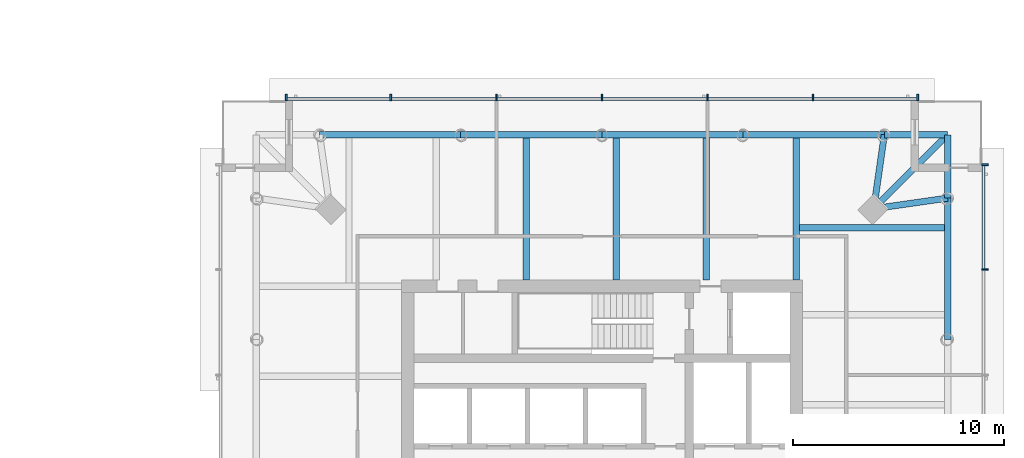
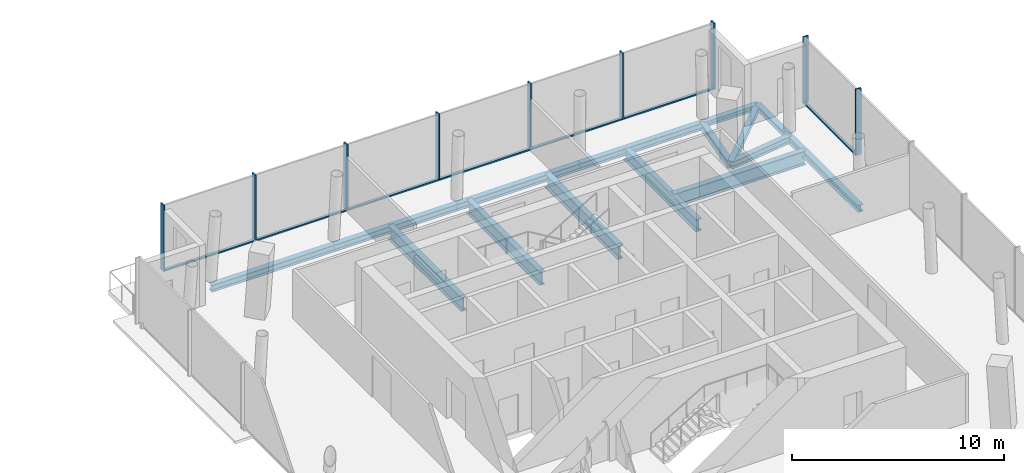
# One storey, part 7 of 28: 16 members, 15 beams, 2 elements without a shape of their own.
"""IFC4 building model written with IfcOpenShell, lengths in metres."""

from ifc_helpers import new_model, si_unit, direction, frame, origin, origin_2d, place, context, subcontext, project, spatial, rectangle, i_section, extrude, material, material_profile, profile_set, type_object, element, aggregate, save


model = new_model("IFC4")

# Units and contexts
model_context = context("Model", 3, precision=1e-05, world=origin(), true_north=direction((0.0, 1.0)))
body_context = subcontext(model_context, "Body", "Model", "MODEL_VIEW")
ifc_project = project(units=[si_unit("LENGTHUNIT", "METRE"), si_unit("AREAUNIT", "SQUARE_METRE"), si_unit("VOLUMEUNIT", "CUBIC_METRE"), si_unit("PLANEANGLEUNIT", "RADIAN"), si_unit("MASSUNIT", "GRAM", prefix="KILO")], contexts=[model_context])

# Site, building, storey
site_placement = place(None, origin())
site = spatial("IfcSite", under=ifc_project, at=site_placement, CompositionType="ELEMENT")
building_placement = place(site_placement, origin())
building = spatial("IfcBuilding", under=site, at=building_placement, Name="Ostroluk Exchange", CompositionType="ELEMENT")
storey_placement = place(building_placement, frame((0.0, 0.0, 81.800048828125)))
storey = spatial("IfcBuildingStorey", under=building, at=storey_placement, Name="L20", CompositionType="ELEMENT", Elevation=81.800048828125)

# Beams
ifc_material_1 = material(Name="Steel S355", Category="steel")
ifc_material_profile_1 = material_profile(ifc_material_1, i_section(OverallWidth=0.300048828125, OverallDepth=0.300048828125, WebThickness=0.010986328125, FlangeThickness=0.01904296875, FilletRadius=0.027099609375, at=origin_2d()), Name="HEB 300")
ifc_profile_set_1 = profile_set([ifc_material_profile_1], Name="Steel S355")
beam_type_1 = type_object("IfcBeamType", Name="Balcony beam HEB 300", PredefinedType="BEAM", material=ifc_profile_set_1)
for number, where, z_axis, x_axis, name in (
    (1, (133.37939453125, 59.37939453125, -0.429931640625), (0.0, 1.0, 0.0), (-1.0, 0.0, 0.0), "T2 east balcony beam a"),
    (2, (130.37939453125, 62.37939453125, -0.429931640625), (1.0, 0.0, 0.0), (0.0, 1.0, 0.0), "T2 east balcony beam b"),
):
    element("IfcBeam", number, at=place(storey_placement, frame(where, z_axis=z_axis, x_axis=x_axis)), inside=storey, type_object=beam_type_1, Name=name, PredefinedType="BEAM", context=body_context, shape_type="SweptSolid", body=[
        extrude(i_section(OverallWidth=0.300048828125, OverallDepth=0.300048828125, WebThickness=0.010986328125, FlangeThickness=0.01904296875, FilletRadius=0.027099609375, at=origin_2d()), origin(), (0.0, 0.0, 1.0), 3.0),
    ])
beam_1_placement = place(storey_placement, frame((129.87939453125, 58.87939453125, -0.429931640625), z_axis=(0.707106781187, 0.707106781187, 0.0), x_axis=(-0.707106781187, 0.707106781187, 0.0)))
element("IfcBeam", 3, at=beam_1_placement, inside=storey, type_object=beam_type_1, Name="T2 east balcony beam c", PredefinedType="BEAM", context=body_context, shape_type="SweptSolid", body=[
    extrude(i_section(OverallWidth=0.300048828125, OverallDepth=0.300048828125, WebThickness=0.010986328125, FlangeThickness=0.01904296875, FilletRadius=0.027099609375, at=origin_2d()), origin(), (0.0, 0.0, 1.0), 4.94970703125),
])
ifc_material_2 = material(Name="Steel S355", Category="steel")
ifc_material_profile_2 = material_profile(ifc_material_2, i_section(OverallWidth=0.300048828125, OverallDepth=0.39990234375, WebThickness=0.013427734375, FlangeThickness=0.02392578125, FilletRadius=0.027099609375, at=origin_2d()), Name="HEB 400")
ifc_profile_set_2 = profile_set([ifc_material_profile_2], Name="Steel S355")
beam_type_2 = type_object("IfcBeamType", Name="Corner edge beam HEB 400", PredefinedType="SPANDREL", material=ifc_profile_set_2)
for number, where, z_axis, x_axis, name in (
    (4, (129.87939453125, 58.87939453125, -0.47998046875), (0.989949493661, 0.141421356237, 0.0), (-0.141421356237, 0.989949493661, 0.0), "T2 east corner edge beam a"),
    (5, (129.87939453125, 58.87939453125, -0.47998046875), (0.141421356237, 0.989949493661, 0.0), (-0.989949493661, 0.141421356237, 0.0), "T2 east corner edge beam b"),
):
    element("IfcBeam", number, at=place(storey_placement, frame(where, z_axis=z_axis, x_axis=x_axis)), inside=storey, type_object=beam_type_2, Name=name, PredefinedType="SPANDREL", context=body_context, shape_type="SweptSolid", body=[
        extrude(i_section(OverallWidth=0.300048828125, OverallDepth=0.39990234375, WebThickness=0.013427734375, FlangeThickness=0.02392578125, FilletRadius=0.027099609375, at=origin_2d()), origin(), (0.0, 0.0, 1.0), 3.53564453125),
    ])
ifc_material_3 = material(Name="Steel S355", Category="steel")
ifc_material_profile_3 = material_profile(ifc_material_3, i_section(OverallWidth=0.300048828125, OverallDepth=0.800048828125, WebThickness=0.017578125, FlangeThickness=0.032958984375, FilletRadius=0.030029296875, at=origin_2d()), Name="HEB 800")
ifc_profile_set_3 = profile_set([ifc_material_profile_3], Name="Steel S355")
beam_type_3 = type_object("IfcBeamType", Name="Floor beam HEB 800", PredefinedType="BEAM", material=ifc_profile_set_3)
beam_2_placement = place(storey_placement, frame((126.199951171875, 57.979248046875, -0.679931640625), z_axis=(1.0, 0.0, 0.0), x_axis=(0.0, 1.0, 0.0)))
element("IfcBeam", 6, at=beam_2_placement, inside=storey, type_object=beam_type_3, Name="T2 east floor beam 5", PredefinedType="BEAM", context=body_context, shape_type="SweptSolid", body=[
    extrude(i_section(OverallWidth=0.300048828125, OverallDepth=0.800048828125, WebThickness=0.017578125, FlangeThickness=0.032958984375, FilletRadius=0.030029296875, at=origin_2d()), origin(), (0.0, 0.0, 1.0), 7.179443359375),
])
for number, where, z_axis, x_axis, name in (
    (7, (121.936767578125, 55.5, -0.679931640625), (0.0, 1.0, 0.0), (-1.0, 0.0, 0.0), "T2 north floor beam 1"),
    (8, (117.673583984375, 55.5, -0.679931640625), (0.0, 1.0, 0.0), (-1.0, 0.0, 0.0), "T2 north floor beam 2"),
    (9, (113.410400390625, 55.5, -0.679931640625), (0.0, 1.0, 0.0), (-1.0, 0.0, 0.0), "T2 north floor beam 3"),
):
    element("IfcBeam", number, at=place(storey_placement, frame(where, z_axis=z_axis, x_axis=x_axis)), inside=storey, type_object=beam_type_3, Name=name, PredefinedType="BEAM", context=body_context, shape_type="SweptSolid", body=[
        extrude(i_section(OverallWidth=0.300048828125, OverallDepth=0.800048828125, WebThickness=0.017578125, FlangeThickness=0.032958984375, FilletRadius=0.030029296875, at=origin_2d()), origin(), (0.0, 0.0, 1.0), 6.87939453125),
    ])
ifc_material_4 = material(Name="Steel S355", Category="steel")
ifc_material_profile_4 = material_profile(ifc_material_4, i_section(OverallWidth=0.300048828125, OverallDepth=0.699951171875, WebThickness=0.01708984375, FlangeThickness=0.031982421875, FilletRadius=0.027099609375, at=origin_2d()), Name="HEB 700")
ifc_profile_set_4 = profile_set([ifc_material_profile_4], Name="Steel S355")
beam_type_4 = type_object("IfcBeamType", Name="Girder HEB 700", PredefinedType="BEAM", material=ifc_profile_set_4)
beam_3_placement = place(storey_placement, frame((126.199951171875, 55.5, -0.630126953125), z_axis=(0.0, 1.0, 0.0), x_axis=(-1.0, 0.0, 0.0)))
element("IfcBeam", 10, at=beam_3_placement, inside=storey, type_object=beam_type_4, Name="T2 east girder", PredefinedType="BEAM", context=body_context, shape_type="SweptSolid", body=[
    extrude(i_section(OverallWidth=0.300048828125, OverallDepth=0.699951171875, WebThickness=0.01708984375, FlangeThickness=0.031982421875, FilletRadius=0.027099609375, at=origin_2d()), origin(), (0.0, 0.0, 1.0), 6.87939453125),
])
ifc_material_5 = material(Name="Steel S355", Category="steel")
ifc_material_profile_5 = material_profile(ifc_material_5, i_section(OverallWidth=0.300048828125, OverallDepth=0.39990234375, WebThickness=0.013427734375, FlangeThickness=0.02392578125, FilletRadius=0.027099609375, at=origin_2d()), Name="HEB 400")
ifc_profile_set_5 = profile_set([ifc_material_profile_5], Name="Steel S355")
beam_type_5 = type_object("IfcBeamType", Name="Moment-connected edge beam HEB 400", PredefinedType="SPANDREL", material=ifc_profile_set_5)
for number, where, z_axis, x_axis, name in (
    (11, (133.37939453125, 52.689697265625, -0.47998046875), (0.0, 1.0, 0.0), (-1.0, 0.0, 0.0), "T2 east edge beam 4"),
    (12, (130.37939453125, 62.37939453125, -0.47998046875), (-1.0, 0.0, 0.0), (0.0, -1.0, 0.0), "T2 north edge beam 1"),
    (13, (123.689697265625, 62.37939453125, -0.47998046875), (-1.0, 0.0, 0.0), (0.0, -1.0, 0.0), "T2 north edge beam 2"),
    (14, (117.0, 62.37939453125, -0.47998046875), (-1.0, 0.0, 0.0), (0.0, -1.0, 0.0), "T2 north edge beam 3"),
    (15, (110.310302734375, 62.37939453125, -0.47998046875), (-1.0, 0.0, 0.0), (0.0, -1.0, 0.0), "T2 north edge beam 4"),
):
    element("IfcBeam", number, at=place(storey_placement, frame(where, z_axis=z_axis, x_axis=x_axis)), inside=storey, type_object=beam_type_5, Name=name, PredefinedType="SPANDREL", context=body_context, shape_type="SweptSolid", body=[
        extrude(i_section(OverallWidth=0.300048828125, OverallDepth=0.39990234375, WebThickness=0.013427734375, FlangeThickness=0.02392578125, FilletRadius=0.027099609375, at=origin_2d()), origin(), (0.0, 0.0, 1.0), 6.689697265625),
    ])

# Curtain wall, member
ifc_material_6 = material(Name="Laminated clear glass", Category="glass")
curtain_wall_type = type_object("IfcCurtainWallType", Name="Hotel amenity and plant facade", PredefinedType="USERDEFINED", material=ifc_material_6)
curtain_wall_1_placement = place(storey_placement, origin())
curtain_wall_1 = element("IfcCurtainWall", 16, at=curtain_wall_1_placement, inside=storey, type_object=curtain_wall_type, Name="Hotel tower east facade L20", ObjectType="LOUVRED CURTAIN WALL", PredefinedType="USERDEFINED")
ifc_material_7 = material(Name="Aluminium mullion", Category="aluminium")
ifc_material_profile_6 = material_profile(ifc_material_7, rectangle(XDim=0.14990234375, YDim=0.080078125, at=origin_2d()), Name="Sill transom 80 x 150")
ifc_profile_set_6 = profile_set([ifc_material_profile_6], Name="Aluminium mullion")
member_type_1 = type_object("IfcMemberType", Name="Sill transom 80 x 150", PredefinedType="USERDEFINED", material=ifc_profile_set_6)
member_1_placement = place(storey_placement, frame((135.074951171875, 56.0400390625, 0.0400390625), z_axis=(0.0, 1.0, 0.0), x_axis=(-1.0, 0.0, 0.0)))
member_1 = element("IfcMember", 17, at=member_1_placement, type_object=member_type_1, Name="CW-H2 transom 6.1", ObjectType="TRANSOM", PredefinedType="USERDEFINED", context=body_context, shape_type="SweptSolid", body=[
    extrude(rectangle(XDim=0.14990234375, YDim=0.080078125, at=origin_2d()), origin(), (0.0, 0.0, 1.0), 4.8798828125),
])

# Curtain wall, members
curtain_wall_2_placement = place(storey_placement, origin())
curtain_wall_2 = element("IfcCurtainWall", 18, at=curtain_wall_2_placement, inside=storey, type_object=curtain_wall_type, Name="Hotel tower north facade L20", ObjectType="LOUVRED CURTAIN WALL", PredefinedType="USERDEFINED")
member_2_placement = place(storey_placement, frame((131.919921875, 64.074951171875, 0.0400390625), z_axis=(-1.0, 0.0, 0.0), x_axis=(0.0, -1.0, 0.0)))
member_2 = element("IfcMember", 19, at=member_2_placement, type_object=member_type_1, Name="CW-H2 transom 1.1", ObjectType="TRANSOM", PredefinedType="USERDEFINED", context=body_context, shape_type="SweptSolid", body=[
    extrude(rectangle(XDim=0.14990234375, YDim=0.080078125, at=origin_2d()), origin(), (0.0, 0.0, 1.0), 4.8798828125),
])
member_3_placement = place(storey_placement, frame((126.9599609375, 64.074951171875, 0.0400390625), z_axis=(-1.0, 0.0, 0.0), x_axis=(0.0, -1.0, 0.0)))
member_3 = element("IfcMember", 20, at=member_3_placement, type_object=member_type_1, Name="CW-H2 transom 2.1", ObjectType="TRANSOM", PredefinedType="USERDEFINED", context=body_context, shape_type="SweptSolid", body=[
    extrude(rectangle(XDim=0.14990234375, YDim=0.080078125, at=origin_2d()), origin(), (0.0, 0.0, 1.0), 4.919921875),
])
member_4_placement = place(storey_placement, frame((121.9599609375, 64.074951171875, 0.0400390625), z_axis=(-1.0, 0.0, 0.0), x_axis=(0.0, -1.0, 0.0)))
member_4 = element("IfcMember", 21, at=member_4_placement, type_object=member_type_1, Name="CW-H2 transom 3.1", ObjectType="TRANSOM", PredefinedType="USERDEFINED", context=body_context, shape_type="SweptSolid", body=[
    extrude(rectangle(XDim=0.14990234375, YDim=0.080078125, at=origin_2d()), origin(), (0.0, 0.0, 1.0), 4.919921875),
])
member_5_placement = place(storey_placement, frame((116.9599609375, 64.074951171875, 0.0400390625), z_axis=(-1.0, 0.0, 0.0), x_axis=(0.0, -1.0, 0.0)))
member_5 = element("IfcMember", 22, at=member_5_placement, type_object=member_type_1, Name="CW-H2 transom 4.1", ObjectType="TRANSOM", PredefinedType="USERDEFINED", context=body_context, shape_type="SweptSolid", body=[
    extrude(rectangle(XDim=0.14990234375, YDim=0.080078125, at=origin_2d()), origin(), (0.0, 0.0, 1.0), 4.919921875),
])
member_6_placement = place(storey_placement, frame((111.9599609375, 64.074951171875, 0.0400390625), z_axis=(-1.0, 0.0, 0.0), x_axis=(0.0, -1.0, 0.0)))
member_6 = element("IfcMember", 23, at=member_6_placement, type_object=member_type_1, Name="CW-H2 transom 5.1", ObjectType="TRANSOM", PredefinedType="USERDEFINED", context=body_context, shape_type="SweptSolid", body=[
    extrude(rectangle(XDim=0.14990234375, YDim=0.080078125, at=origin_2d()), origin(), (0.0, 0.0, 1.0), 4.919921875),
])
member_7_placement = place(storey_placement, frame((106.9599609375, 64.074951171875, 0.0400390625), z_axis=(-1.0, 0.0, 0.0), x_axis=(0.0, -1.0, 0.0)))
member_7 = element("IfcMember", 24, at=member_7_placement, type_object=member_type_1, Name="CW-H2 transom 6.1", ObjectType="TRANSOM", PredefinedType="USERDEFINED", context=body_context, shape_type="SweptSolid", body=[
    extrude(rectangle(XDim=0.14990234375, YDim=0.080078125, at=origin_2d()), origin(), (0.0, 0.0, 1.0), 4.8798828125),
])

# Member
ifc_material_8 = material(Name="Aluminium mullion with limestone facing", Category="masonry")
ifc_material_profile_7 = material_profile(ifc_material_8, rectangle(XDim=0.300048828125, YDim=0.080078125, at=origin_2d()), Name="Tracery mullion 80 x 300")
ifc_profile_set_7 = profile_set([ifc_material_profile_7], Name="Aluminium mullion with limestone facing")
member_type_2 = type_object("IfcMemberType", Name="Tracery mullion 80 x 300", PredefinedType="MULLION", material=ifc_profile_set_7)
member_8_placement = place(storey_placement, frame((135.14990234375, 56.0, 0.0), z_axis=(0.0, 0.0, 1.0), x_axis=(-1.0, 0.0, 0.0)))
member_8 = element("IfcMember", 25, at=member_8_placement, type_object=member_type_2, Name="CW-H2 mullion 6", PredefinedType="MULLION", context=body_context, shape_type="SweptSolid", body=[
    extrude(rectangle(XDim=0.300048828125, YDim=0.080078125, at=origin_2d()), origin(), (0.0, 0.0, 1.0), 3.800048828125),
])

member_9_placement = place(storey_placement, frame((135.14990234375, 60.9599609375, 0.0), z_axis=(0.0, 0.0, 1.0), x_axis=(-1.0, 0.0, 0.0)))
member_9 = element("IfcMember", 26, at=member_9_placement, type_object=member_type_2, Name="CW-H2 mullion 7", PredefinedType="MULLION", context=body_context, shape_type="SweptSolid", body=[
    extrude(rectangle(XDim=0.300048828125, YDim=0.080078125, at=origin_2d()), origin(), (0.0, 0.0, 1.0), 3.800048828125),
])

aggregate(curtain_wall_1, [member_8, member_9, member_1])

member_10_placement = place(storey_placement, frame((131.9599609375, 64.14990234375, 0.0), z_axis=(0.0, 0.0, 1.0), x_axis=(0.0, -1.0, 0.0)))
member_10 = element("IfcMember", 27, at=member_10_placement, type_object=member_type_2, Name="CW-H2 mullion 1", PredefinedType="MULLION", context=body_context, shape_type="SweptSolid", body=[
    extrude(rectangle(XDim=0.300048828125, YDim=0.080078125, at=origin_2d()), origin(), (0.0, 0.0, 1.0), 3.800048828125),
])

member_11_placement = place(storey_placement, frame((127.0, 64.14990234375, 0.0), z_axis=(0.0, 0.0, 1.0), x_axis=(0.0, -1.0, 0.0)))
member_11 = element("IfcMember", 28, at=member_11_placement, type_object=member_type_2, Name="CW-H2 mullion 2", PredefinedType="MULLION", context=body_context, shape_type="SweptSolid", body=[
    extrude(rectangle(XDim=0.300048828125, YDim=0.080078125, at=origin_2d()), origin(), (0.0, 0.0, 1.0), 3.800048828125),
])

member_12_placement = place(storey_placement, frame((122.0, 64.14990234375, 0.0), z_axis=(0.0, 0.0, 1.0), x_axis=(0.0, -1.0, 0.0)))
member_12 = element("IfcMember", 29, at=member_12_placement, type_object=member_type_2, Name="CW-H2 mullion 3", PredefinedType="MULLION", context=body_context, shape_type="SweptSolid", body=[
    extrude(rectangle(XDim=0.300048828125, YDim=0.080078125, at=origin_2d()), origin(), (0.0, 0.0, 1.0), 3.800048828125),
])

member_13_placement = place(storey_placement, frame((117.0, 64.14990234375, 0.0), z_axis=(0.0, 0.0, 1.0), x_axis=(0.0, -1.0, 0.0)))
member_13 = element("IfcMember", 30, at=member_13_placement, type_object=member_type_2, Name="CW-H2 mullion 4", PredefinedType="MULLION", context=body_context, shape_type="SweptSolid", body=[
    extrude(rectangle(XDim=0.300048828125, YDim=0.080078125, at=origin_2d()), origin(), (0.0, 0.0, 1.0), 3.800048828125),
])

member_14_placement = place(storey_placement, frame((112.0, 64.14990234375, 0.0), z_axis=(0.0, 0.0, 1.0), x_axis=(0.0, -1.0, 0.0)))
member_14 = element("IfcMember", 31, at=member_14_placement, type_object=member_type_2, Name="CW-H2 mullion 5", PredefinedType="MULLION", context=body_context, shape_type="SweptSolid", body=[
    extrude(rectangle(XDim=0.300048828125, YDim=0.080078125, at=origin_2d()), origin(), (0.0, 0.0, 1.0), 3.800048828125),
])

member_15_placement = place(storey_placement, frame((107.0, 64.14990234375, 0.0), z_axis=(0.0, 0.0, 1.0), x_axis=(0.0, -1.0, 0.0)))
member_15 = element("IfcMember", 32, at=member_15_placement, type_object=member_type_2, Name="CW-H2 mullion 6", PredefinedType="MULLION", context=body_context, shape_type="SweptSolid", body=[
    extrude(rectangle(XDim=0.300048828125, YDim=0.080078125, at=origin_2d()), origin(), (0.0, 0.0, 1.0), 3.800048828125),
])

member_16_placement = place(storey_placement, frame((102.0400390625, 64.14990234375, 0.0), z_axis=(0.0, 0.0, 1.0), x_axis=(0.0, -1.0, 0.0)))
member_16 = element("IfcMember", 33, at=member_16_placement, type_object=member_type_2, Name="CW-H2 mullion 7", PredefinedType="MULLION", context=body_context, shape_type="SweptSolid", body=[
    extrude(rectangle(XDim=0.300048828125, YDim=0.080078125, at=origin_2d()), origin(), (0.0, 0.0, 1.0), 3.800048828125),
])

aggregate(curtain_wall_2, [member_10, member_11, member_12, member_13, member_14, member_15, member_16, member_2, member_3, member_4, member_5, member_6, member_7])

save(model, "model.ifc")
